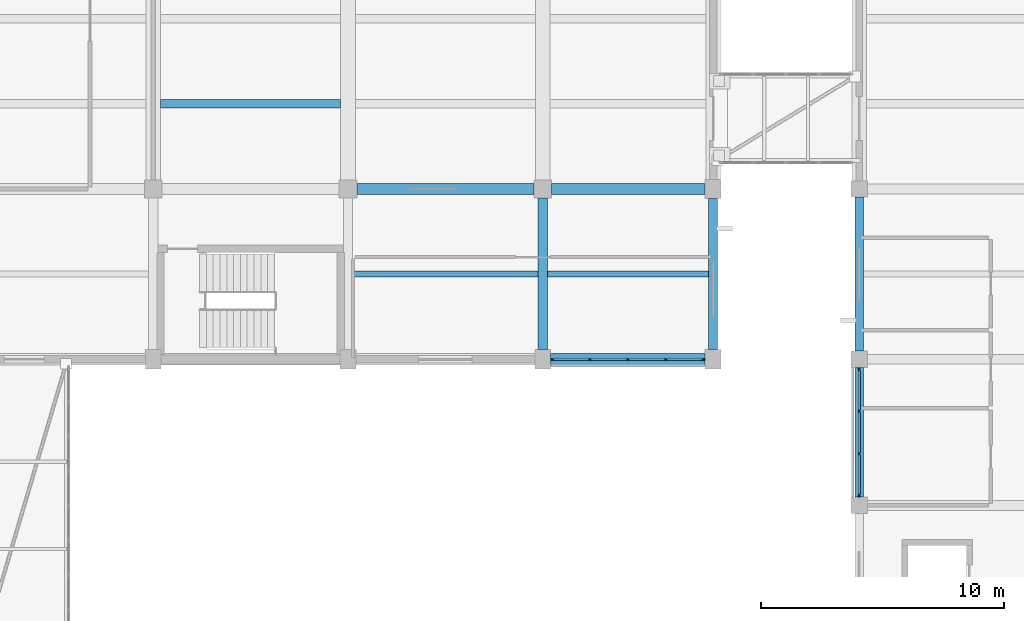
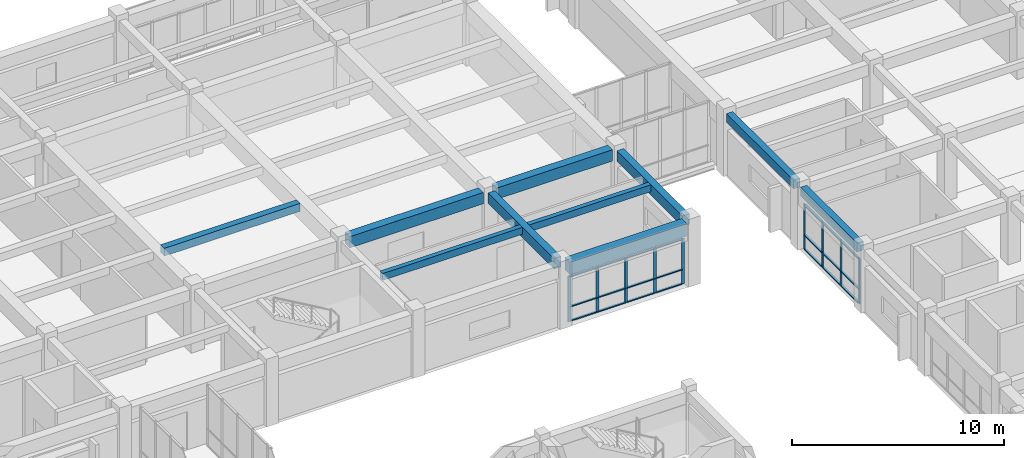
# One storey, part 26 of 66: 30 members, 10 beams, 2 elements without a shape of their own.
"""IFC4 building model written with IfcOpenShell, lengths in metres."""

from ifc_helpers import new_model, si_unit, direction, frame, origin, origin_2d, place, context, subcontext, project, spatial, rectangle, extrude, material, layer, layer_set, material_profile, profile_set, type_object, element, aggregate, save


model = new_model("IFC4")

# Units and contexts
model_context = context("Model", 3, precision=1e-05, world=origin(), true_north=direction((0.0, 1.0)))
body_context = subcontext(model_context, "Body", "Model", "MODEL_VIEW")
ifc_project = project(units=[si_unit("LENGTHUNIT", "METRE"), si_unit("AREAUNIT", "SQUARE_METRE"), si_unit("VOLUMEUNIT", "CUBIC_METRE"), si_unit("PLANEANGLEUNIT", "RADIAN"), si_unit("MASSUNIT", "GRAM", prefix="KILO")], contexts=[model_context])

# Site, building, storey
site_placement = place(None, origin())
site = spatial("IfcSite", under=ifc_project, at=site_placement, CompositionType="ELEMENT")
building_placement = place(site_placement, origin())
building = spatial("IfcBuilding", under=site, at=building_placement, Name="Naurynzar Civic Courthouse", CompositionType="ELEMENT")
storey_placement = place(building_placement, frame((0.0, 0.0, 14.39990234375)))
storey = spatial("IfcBuildingStorey", under=building, at=storey_placement, Name="L04", CompositionType="ELEMENT", Elevation=14.39990234375)

# Beams
ifc_material_1 = material(Name="Concrete C40/50", Category="concrete")
ifc_material_profile_1 = material_profile(ifc_material_1, rectangle(XDim=0.25, YDim=0.39990234375, at=origin_2d()), Name="RCB 250x400")
ifc_profile_set_1 = profile_set([ifc_material_profile_1], Name="Concrete C40/50")
beam_type_1 = type_object("IfcBeamType", Name="BM-JST-250x400", PredefinedType="JOIST", material=ifc_profile_set_1)
beam_1_placement = place(storey_placement, frame((109.1875, 47.5, 3.380126953125), z_axis=(1.0, 0.0, 0.0), x_axis=(0.0, 1.0, 0.0)))
element("IfcBeam", 1, at=beam_1_placement, inside=storey, type_object=beam_type_1, Name="V2 secondary rib 715 L04", PredefinedType="JOIST", context=body_context, shape_type="SweptSolid", body=[
    extrude(rectangle(XDim=0.25, YDim=0.39990234375, at=origin_2d()), origin(), (0.0, 0.0, 1.0), 7.625),
])
beam_2_placement = place(storey_placement, frame((117.1875, 47.5, 3.380126953125), z_axis=(1.0, 0.0, 0.0), x_axis=(0.0, 1.0, 0.0)))
element("IfcBeam", 2, at=beam_2_placement, inside=storey, type_object=beam_type_1, Name="V2 secondary rib 716 L04", PredefinedType="JOIST", context=body_context, shape_type="SweptSolid", body=[
    extrude(rectangle(XDim=0.25, YDim=0.39990234375, at=origin_2d()), origin(), (0.0, 0.0, 1.0), 6.625),
])
ifc_material_2 = material(Name="Concrete C40/50", Category="concrete")
ifc_material_profile_2 = material_profile(ifc_material_2, rectangle(XDim=0.35009765625, YDim=0.449951171875, at=origin_2d()), Name="RCB 350x450")
ifc_profile_set_2 = profile_set([ifc_material_profile_2], Name="Concrete C40/50")
beam_type_2 = type_object("IfcBeamType", Name="BM-RC-350x450", PredefinedType="BEAM", material=ifc_profile_set_2)
beam_3_placement = place(storey_placement, frame((101.300048828125, 54.5, 3.35498046875), z_axis=(1.0, 0.0, 0.0), x_axis=(0.0, 1.0, 0.0)))
element("IfcBeam", 3, at=beam_3_placement, inside=storey, type_object=beam_type_2, Name="V2 secondary rib 726 L04", PredefinedType="BEAM", context=body_context, shape_type="SweptSolid", body=[
    extrude(rectangle(XDim=0.35009765625, YDim=0.449951171875, at=origin_2d()), origin(), (0.0, 0.0, 1.0), 7.39990234375),
])
ifc_material_3 = material(Name="Concrete C40/50", Category="concrete")
ifc_material_profile_3 = material_profile(ifc_material_3, rectangle(XDim=0.35009765625, YDim=0.5, at=origin_2d()), Name="RCB 350x500")
ifc_profile_set_3 = profile_set([ifc_material_profile_3], Name="Concrete C40/50")
beam_type_3 = type_object("IfcBeamType", Name="BM-RC-350x500", PredefinedType="BEAM", material=ifc_profile_set_3)
beam_4_placement = place(storey_placement, frame((130.0, 38.33740234375, 3.330078125), z_axis=(0.0, 1.0, 0.0), x_axis=(-1.0, 0.0, 0.0)))
element("IfcBeam", 4, at=beam_4_placement, inside=storey, type_object=beam_type_3, Name="V5 girder Y-2554 L04", PredefinedType="BEAM", context=body_context, shape_type="SweptSolid", body=[
    extrude(rectangle(XDim=0.35009765625, YDim=0.5, at=origin_2d()), origin(), (0.0, 0.0, 1.0), 5.3251953125),
])
beam_5_placement = place(storey_placement, frame((130.0, 44.33740234375, 3.330078125), z_axis=(0.0, 1.0, 0.0), x_axis=(-1.0, 0.0, 0.0)))
element("IfcBeam", 5, at=beam_5_placement, inside=storey, type_object=beam_type_3, Name="V5 girder Y-2555 L04", PredefinedType="BEAM", context=body_context, shape_type="SweptSolid", body=[
    extrude(rectangle(XDim=0.35009765625, YDim=0.5, at=origin_2d()), origin(), (0.0, 0.0, 1.0), 6.3251953125),
])
ifc_material_4 = material(Name="Concrete C40/50", Category="concrete")
ifc_material_profile_4 = material_profile(ifc_material_4, rectangle(XDim=0.375, YDim=0.60009765625, at=origin_2d()), Name="RCB 375x600")
ifc_profile_set_4 = profile_set([ifc_material_profile_4], Name="Concrete C40/50")
beam_type_4 = type_object("IfcBeamType", Name="BM-RC-375x600", PredefinedType="BEAM", material=ifc_profile_set_4)
beam_6_placement = place(storey_placement, frame((117.0, 44.39990234375, 3.280029296875), z_axis=(0.0, 1.0, 0.0), x_axis=(-1.0, 0.0, 0.0)))
element("IfcBeam", 6, at=beam_6_placement, inside=storey, type_object=beam_type_4, Name="V2 girder Y-707 L04", PredefinedType="BEAM", context=body_context, shape_type="SweptSolid", body=[
    extrude(rectangle(XDim=0.375, YDim=0.60009765625, at=origin_2d()), origin(), (0.0, 0.0, 1.0), 6.237548828125),
])
beam_7_placement = place(storey_placement, frame((124.0, 44.39990234375, 3.280029296875), z_axis=(0.0, 1.0, 0.0), x_axis=(-1.0, 0.0, 0.0)))
element("IfcBeam", 7, at=beam_7_placement, inside=storey, type_object=beam_type_4, Name="V2 girder Y-710 L04", PredefinedType="BEAM", context=body_context, shape_type="SweptSolid", body=[
    extrude(rectangle(XDim=0.375, YDim=0.60009765625, at=origin_2d()), origin(), (0.0, 0.0, 1.0), 6.2001953125),
])
ifc_material_5 = material(Name="Concrete C40/50", Category="concrete")
ifc_material_profile_5 = material_profile(ifc_material_5, rectangle(XDim=0.449951171875, YDim=0.64990234375, at=origin_2d()), Name="RCB 450x650")
ifc_profile_set_5 = profile_set([ifc_material_profile_5], Name="Concrete C40/50")
beam_type_5 = type_object("IfcBeamType", Name="BM-RC-450x650", PredefinedType="BEAM", material=ifc_profile_set_5)
beam_8_placement = place(storey_placement, frame((109.362548828125, 51.0, 3.255126953125), z_axis=(1.0, 0.0, 0.0), x_axis=(0.0, 1.0, 0.0)))
element("IfcBeam", 8, at=beam_8_placement, inside=storey, type_object=beam_type_5, Name="V2 beam X-669 L04", PredefinedType="BEAM", context=body_context, shape_type="SweptSolid", body=[
    extrude(rectangle(XDim=0.449951171875, YDim=0.64990234375, at=origin_2d()), origin(), (0.0, 0.0, 1.0), 7.27490234375),
])
beam_9_placement = place(storey_placement, frame((117.362548828125, 51.0, 3.255126953125), z_axis=(1.0, 0.0, 0.0), x_axis=(0.0, 1.0, 0.0)))
element("IfcBeam", 9, at=beam_9_placement, inside=storey, type_object=beam_type_5, Name="V2 beam X-670 L04", PredefinedType="BEAM", context=body_context, shape_type="SweptSolid", body=[
    extrude(rectangle(XDim=0.449951171875, YDim=0.64990234375, at=origin_2d()), origin(), (0.0, 0.0, 1.0), 6.3125),
])
ifc_material_6 = material(Name="Concrete C40/50", Category="concrete")
ifc_material_profile_6 = material_profile(ifc_material_6, rectangle(XDim=0.47509765625, YDim=0.72509765625, at=origin_2d()), Name="RCB 475x725")
ifc_profile_set_6 = profile_set([ifc_material_profile_6], Name="Concrete C40/50")
beam_type_6 = type_object("IfcBeamType", Name="BM-RC-475x725", PredefinedType="SPANDREL", material=ifc_profile_set_6)
beam_10_placement = place(storey_placement, frame((117.324951171875, 44.0, 3.217529296875), z_axis=(1.0, 0.0, 0.0), x_axis=(0.0, 1.0, 0.0)))
element("IfcBeam", 10, at=beam_10_placement, inside=storey, type_object=beam_type_6, Name="V2 beam X-662 L04", PredefinedType="SPANDREL", context=body_context, shape_type="SweptSolid", body=[
    extrude(rectangle(XDim=0.47509765625, YDim=0.72509765625, at=origin_2d()), origin(), (0.0, 0.0, 1.0), 6.35009765625),
])

# Curtain wall, members
ifc_material_7 = material(Name="Aluminium 6063-T6", Category="aluminium")
ifc_layer = layer(ifc_material_7, 0.179931640625)
ifc_layer_set = layer_set([ifc_layer], Name="CW-UNIT-1500")
curtain_wall_type = type_object("IfcCurtainWallType", Name="CW-UNIT-1500", PredefinedType="NOTDEFINED", material=ifc_layer_set)
curtain_wall_1_placement = place(storey_placement, origin())
curtain_wall_1 = element("IfcCurtainWall", 11, at=curtain_wall_1_placement, inside=storey, type_object=curtain_wall_type, Name="V2 unitised curtain wall 35 L04", PredefinedType="NOTDEFINED")
ifc_material_8 = material(Name="Aluminium 6063-T6", Category="aluminium")
ifc_material_profile_7 = material_profile(ifc_material_8, rectangle(XDim=0.06005859375, YDim=0.14990234375, at=origin_2d()), Name="ALU MULLION 60x150")
ifc_profile_set_7 = profile_set([ifc_material_profile_7], Name="Aluminium 6063-T6")
member_type_1 = type_object("IfcMemberType", Name="CWM-60x150", PredefinedType="MULLION", material=ifc_profile_set_7)
member_1_placement = place(storey_placement, frame((123.594970703125, 44.0, 0.0), z_axis=(0.0, 0.0, 1.0), x_axis=(0.0, -1.0, 0.0)))
member_1 = element("IfcMember", 12, at=member_1_placement, type_object=member_type_1, Name="CW-01 mullion 1", PredefinedType="MULLION", context=body_context, shape_type="SweptSolid", body=[
    extrude(rectangle(XDim=0.06005859375, YDim=0.14990234375, at=origin_2d()), origin(), (0.0, 0.0, 1.0), 2.610107421875),
])
member_2_placement = place(storey_placement, frame((122.0625, 44.0, 0.0), z_axis=(0.0, 0.0, 1.0), x_axis=(0.0, -1.0, 0.0)))
member_2 = element("IfcMember", 13, at=member_2_placement, type_object=member_type_1, Name="CW-01 mullion 2", PredefinedType="MULLION", context=body_context, shape_type="SweptSolid", body=[
    extrude(rectangle(XDim=0.06005859375, YDim=0.14990234375, at=origin_2d()), origin(), (0.0, 0.0, 1.0), 2.610107421875),
])
member_3_placement = place(storey_placement, frame((120.5, 44.0, 0.0), z_axis=(0.0, 0.0, 1.0), x_axis=(0.0, -1.0, 0.0)))
member_3 = element("IfcMember", 14, at=member_3_placement, type_object=member_type_1, Name="CW-01 mullion 3", PredefinedType="MULLION", context=body_context, shape_type="SweptSolid", body=[
    extrude(rectangle(XDim=0.06005859375, YDim=0.14990234375, at=origin_2d()), origin(), (0.0, 0.0, 1.0), 2.610107421875),
])
member_4_placement = place(storey_placement, frame((118.9375, 44.0, 0.0), z_axis=(0.0, 0.0, 1.0), x_axis=(0.0, -1.0, 0.0)))
member_4 = element("IfcMember", 15, at=member_4_placement, type_object=member_type_1, Name="CW-01 mullion 4", PredefinedType="MULLION", context=body_context, shape_type="SweptSolid", body=[
    extrude(rectangle(XDim=0.06005859375, YDim=0.14990234375, at=origin_2d()), origin(), (0.0, 0.0, 1.0), 2.610107421875),
])
member_5_placement = place(storey_placement, frame((117.405029296875, 44.0, 0.0), z_axis=(0.0, 0.0, 1.0), x_axis=(0.0, -1.0, 0.0)))
member_5 = element("IfcMember", 16, at=member_5_placement, type_object=member_type_1, Name="CW-01 mullion 5", PredefinedType="MULLION", context=body_context, shape_type="SweptSolid", body=[
    extrude(rectangle(XDim=0.06005859375, YDim=0.14990234375, at=origin_2d()), origin(), (0.0, 0.0, 1.0), 2.610107421875),
])

curtain_wall_2_placement = place(storey_placement, origin())
curtain_wall_2 = element("IfcCurtainWall", 17, at=curtain_wall_2_placement, inside=storey, type_object=curtain_wall_type, Name="V5 unitised curtain wall 99 L04", PredefinedType="NOTDEFINED")
member_6_placement = place(storey_placement, frame((130.0, 38.41748046875, 0.0), z_axis=(0.0, 0.0, 1.0), x_axis=(-1.0, 0.0, 0.0)))
member_6 = element("IfcMember", 18, at=member_6_placement, type_object=member_type_1, Name="CW-01 mullion 1", PredefinedType="MULLION", context=body_context, shape_type="SweptSolid", body=[
    extrude(rectangle(XDim=0.06005859375, YDim=0.14990234375, at=origin_2d()), origin(), (0.0, 0.0, 1.0), 2.610107421875),
])
member_7_placement = place(storey_placement, frame((130.0, 40.129150390625, 0.0), z_axis=(0.0, 0.0, 1.0), x_axis=(-1.0, 0.0, 0.0)))
member_7 = element("IfcMember", 19, at=member_7_placement, type_object=member_type_1, Name="CW-01 mullion 2", PredefinedType="MULLION", context=body_context, shape_type="SweptSolid", body=[
    extrude(rectangle(XDim=0.06005859375, YDim=0.14990234375, at=origin_2d()), origin(), (0.0, 0.0, 1.0), 2.610107421875),
])
member_8_placement = place(storey_placement, frame((130.0, 41.870849609375, 0.0), z_axis=(0.0, 0.0, 1.0), x_axis=(-1.0, 0.0, 0.0)))
member_8 = element("IfcMember", 20, at=member_8_placement, type_object=member_type_1, Name="CW-01 mullion 3", PredefinedType="MULLION", context=body_context, shape_type="SweptSolid", body=[
    extrude(rectangle(XDim=0.06005859375, YDim=0.14990234375, at=origin_2d()), origin(), (0.0, 0.0, 1.0), 2.610107421875),
])
member_9_placement = place(storey_placement, frame((130.0, 43.58251953125, 0.0), z_axis=(0.0, 0.0, 1.0), x_axis=(-1.0, 0.0, 0.0)))
member_9 = element("IfcMember", 21, at=member_9_placement, type_object=member_type_1, Name="CW-01 mullion 4", PredefinedType="MULLION", context=body_context, shape_type="SweptSolid", body=[
    extrude(rectangle(XDim=0.06005859375, YDim=0.14990234375, at=origin_2d()), origin(), (0.0, 0.0, 1.0), 2.610107421875),
])

# Member
ifc_material_9 = material(Name="Aluminium 6063-T6", Category="aluminium")
ifc_material_profile_8 = material_profile(ifc_material_9, rectangle(XDim=0.110107421875, YDim=0.06005859375, at=origin_2d()), Name="ALU TRANSOM 60x110")
ifc_profile_set_8 = profile_set([ifc_material_profile_8], Name="Aluminium 6063-T6")
member_type_2 = type_object("IfcMemberType", Name="CWT-60x110", PredefinedType="USERDEFINED", material=ifc_profile_set_8)
member_10_placement = place(storey_placement, frame((123.56494140625, 44.0, 0.030029296875), z_axis=(-1.0, 0.0, 0.0), x_axis=(0.0, -1.0, 0.0)))
member_10 = element("IfcMember", 22, at=member_10_placement, type_object=member_type_2, Name="CW-01 transom 1.1", ObjectType="TRANSOM", PredefinedType="USERDEFINED", context=body_context, shape_type="SweptSolid", body=[
    extrude(rectangle(XDim=0.110107421875, YDim=0.06005859375, at=origin_2d()), origin(), (0.0, 0.0, 1.0), 1.472412109375),
])

member_11_placement = place(storey_placement, frame((123.56494140625, 44.0, 0.85009765625), z_axis=(-1.0, 0.0, 0.0), x_axis=(0.0, -1.0, 0.0)))
member_11 = element("IfcMember", 23, at=member_11_placement, type_object=member_type_2, Name="CW-01 transom 1.2", ObjectType="TRANSOM", PredefinedType="USERDEFINED", context=body_context, shape_type="SweptSolid", body=[
    extrude(rectangle(XDim=0.110107421875, YDim=0.06005859375, at=origin_2d()), origin(), (0.0, 0.0, 1.0), 1.472412109375),
])

member_12_placement = place(storey_placement, frame((123.56494140625, 44.0, 2.580078125), z_axis=(-1.0, 0.0, 0.0), x_axis=(0.0, -1.0, 0.0)))
member_12 = element("IfcMember", 24, at=member_12_placement, type_object=member_type_2, Name="CW-01 transom 1.3", ObjectType="TRANSOM", PredefinedType="USERDEFINED", context=body_context, shape_type="SweptSolid", body=[
    extrude(rectangle(XDim=0.110107421875, YDim=0.06005859375, at=origin_2d()), origin(), (0.0, 0.0, 1.0), 1.472412109375),
])

member_13_placement = place(storey_placement, frame((122.032470703125, 44.0, 0.030029296875), z_axis=(-1.0, 0.0, 0.0), x_axis=(0.0, -1.0, 0.0)))
member_13 = element("IfcMember", 25, at=member_13_placement, type_object=member_type_2, Name="CW-01 transom 2.1", ObjectType="TRANSOM", PredefinedType="USERDEFINED", context=body_context, shape_type="SweptSolid", body=[
    extrude(rectangle(XDim=0.110107421875, YDim=0.06005859375, at=origin_2d()), origin(), (0.0, 0.0, 1.0), 1.50244140625),
])

member_14_placement = place(storey_placement, frame((122.032470703125, 44.0, 0.85009765625), z_axis=(-1.0, 0.0, 0.0), x_axis=(0.0, -1.0, 0.0)))
member_14 = element("IfcMember", 26, at=member_14_placement, type_object=member_type_2, Name="CW-01 transom 2.2", ObjectType="TRANSOM", PredefinedType="USERDEFINED", context=body_context, shape_type="SweptSolid", body=[
    extrude(rectangle(XDim=0.110107421875, YDim=0.06005859375, at=origin_2d()), origin(), (0.0, 0.0, 1.0), 1.50244140625),
])

member_15_placement = place(storey_placement, frame((122.032470703125, 44.0, 2.580078125), z_axis=(-1.0, 0.0, 0.0), x_axis=(0.0, -1.0, 0.0)))
member_15 = element("IfcMember", 27, at=member_15_placement, type_object=member_type_2, Name="CW-01 transom 2.3", ObjectType="TRANSOM", PredefinedType="USERDEFINED", context=body_context, shape_type="SweptSolid", body=[
    extrude(rectangle(XDim=0.110107421875, YDim=0.06005859375, at=origin_2d()), origin(), (0.0, 0.0, 1.0), 1.50244140625),
])

member_16_placement = place(storey_placement, frame((120.469970703125, 44.0, 0.030029296875), z_axis=(-1.0, 0.0, 0.0), x_axis=(0.0, -1.0, 0.0)))
member_16 = element("IfcMember", 28, at=member_16_placement, type_object=member_type_2, Name="CW-01 transom 3.1", ObjectType="TRANSOM", PredefinedType="USERDEFINED", context=body_context, shape_type="SweptSolid", body=[
    extrude(rectangle(XDim=0.110107421875, YDim=0.06005859375, at=origin_2d()), origin(), (0.0, 0.0, 1.0), 1.50244140625),
])

member_17_placement = place(storey_placement, frame((120.469970703125, 44.0, 0.85009765625), z_axis=(-1.0, 0.0, 0.0), x_axis=(0.0, -1.0, 0.0)))
member_17 = element("IfcMember", 29, at=member_17_placement, type_object=member_type_2, Name="CW-01 transom 3.2", ObjectType="TRANSOM", PredefinedType="USERDEFINED", context=body_context, shape_type="SweptSolid", body=[
    extrude(rectangle(XDim=0.110107421875, YDim=0.06005859375, at=origin_2d()), origin(), (0.0, 0.0, 1.0), 1.50244140625),
])

member_18_placement = place(storey_placement, frame((120.469970703125, 44.0, 2.580078125), z_axis=(-1.0, 0.0, 0.0), x_axis=(0.0, -1.0, 0.0)))
member_18 = element("IfcMember", 30, at=member_18_placement, type_object=member_type_2, Name="CW-01 transom 3.3", ObjectType="TRANSOM", PredefinedType="USERDEFINED", context=body_context, shape_type="SweptSolid", body=[
    extrude(rectangle(XDim=0.110107421875, YDim=0.06005859375, at=origin_2d()), origin(), (0.0, 0.0, 1.0), 1.50244140625),
])

member_19_placement = place(storey_placement, frame((118.907470703125, 44.0, 0.030029296875), z_axis=(-1.0, 0.0, 0.0), x_axis=(0.0, -1.0, 0.0)))
member_19 = element("IfcMember", 31, at=member_19_placement, type_object=member_type_2, Name="CW-01 transom 4.1", ObjectType="TRANSOM", PredefinedType="USERDEFINED", context=body_context, shape_type="SweptSolid", body=[
    extrude(rectangle(XDim=0.110107421875, YDim=0.06005859375, at=origin_2d()), origin(), (0.0, 0.0, 1.0), 1.472412109375),
])

member_20_placement = place(storey_placement, frame((118.907470703125, 44.0, 0.85009765625), z_axis=(-1.0, 0.0, 0.0), x_axis=(0.0, -1.0, 0.0)))
member_20 = element("IfcMember", 32, at=member_20_placement, type_object=member_type_2, Name="CW-01 transom 4.2", ObjectType="TRANSOM", PredefinedType="USERDEFINED", context=body_context, shape_type="SweptSolid", body=[
    extrude(rectangle(XDim=0.110107421875, YDim=0.06005859375, at=origin_2d()), origin(), (0.0, 0.0, 1.0), 1.472412109375),
])

member_21_placement = place(storey_placement, frame((118.907470703125, 44.0, 2.580078125), z_axis=(-1.0, 0.0, 0.0), x_axis=(0.0, -1.0, 0.0)))
member_21 = element("IfcMember", 33, at=member_21_placement, type_object=member_type_2, Name="CW-01 transom 4.3", ObjectType="TRANSOM", PredefinedType="USERDEFINED", context=body_context, shape_type="SweptSolid", body=[
    extrude(rectangle(XDim=0.110107421875, YDim=0.06005859375, at=origin_2d()), origin(), (0.0, 0.0, 1.0), 1.472412109375),
])

aggregate(curtain_wall_1, [member_1, member_2, member_3, member_4, member_5, member_10, member_11, member_12, member_13, member_14, member_15, member_16, member_17, member_18, member_19, member_20, member_21])

member_22_placement = place(storey_placement, frame((130.0, 38.447509765625, 0.030029296875), z_axis=(0.0, 1.0, 0.0), x_axis=(-1.0, 0.0, 0.0)))
member_22 = element("IfcMember", 34, at=member_22_placement, type_object=member_type_2, Name="CW-01 transom 1.1", ObjectType="TRANSOM", PredefinedType="USERDEFINED", context=body_context, shape_type="SweptSolid", body=[
    extrude(rectangle(XDim=0.110107421875, YDim=0.06005859375, at=origin_2d()), origin(), (0.0, 0.0, 1.0), 1.651611328125),
])

member_23_placement = place(storey_placement, frame((130.0, 38.447509765625, 0.85009765625), z_axis=(0.0, 1.0, 0.0), x_axis=(-1.0, 0.0, 0.0)))
member_23 = element("IfcMember", 35, at=member_23_placement, type_object=member_type_2, Name="CW-01 transom 1.2", ObjectType="TRANSOM", PredefinedType="USERDEFINED", context=body_context, shape_type="SweptSolid", body=[
    extrude(rectangle(XDim=0.110107421875, YDim=0.06005859375, at=origin_2d()), origin(), (0.0, 0.0, 1.0), 1.651611328125),
])

member_24_placement = place(storey_placement, frame((130.0, 38.447509765625, 2.580078125), z_axis=(0.0, 1.0, 0.0), x_axis=(-1.0, 0.0, 0.0)))
member_24 = element("IfcMember", 36, at=member_24_placement, type_object=member_type_2, Name="CW-01 transom 1.3", ObjectType="TRANSOM", PredefinedType="USERDEFINED", context=body_context, shape_type="SweptSolid", body=[
    extrude(rectangle(XDim=0.110107421875, YDim=0.06005859375, at=origin_2d()), origin(), (0.0, 0.0, 1.0), 1.651611328125),
])

member_25_placement = place(storey_placement, frame((130.0, 40.1591796875, 0.030029296875), z_axis=(0.0, 1.0, 0.0), x_axis=(-1.0, 0.0, 0.0)))
member_25 = element("IfcMember", 37, at=member_25_placement, type_object=member_type_2, Name="CW-01 transom 2.1", ObjectType="TRANSOM", PredefinedType="USERDEFINED", context=body_context, shape_type="SweptSolid", body=[
    extrude(rectangle(XDim=0.110107421875, YDim=0.06005859375, at=origin_2d()), origin(), (0.0, 0.0, 1.0), 1.681640625),
])

member_26_placement = place(storey_placement, frame((130.0, 40.1591796875, 0.85009765625), z_axis=(0.0, 1.0, 0.0), x_axis=(-1.0, 0.0, 0.0)))
member_26 = element("IfcMember", 38, at=member_26_placement, type_object=member_type_2, Name="CW-01 transom 2.2", ObjectType="TRANSOM", PredefinedType="USERDEFINED", context=body_context, shape_type="SweptSolid", body=[
    extrude(rectangle(XDim=0.110107421875, YDim=0.06005859375, at=origin_2d()), origin(), (0.0, 0.0, 1.0), 1.681640625),
])

member_27_placement = place(storey_placement, frame((130.0, 40.1591796875, 2.580078125), z_axis=(0.0, 1.0, 0.0), x_axis=(-1.0, 0.0, 0.0)))
member_27 = element("IfcMember", 39, at=member_27_placement, type_object=member_type_2, Name="CW-01 transom 2.3", ObjectType="TRANSOM", PredefinedType="USERDEFINED", context=body_context, shape_type="SweptSolid", body=[
    extrude(rectangle(XDim=0.110107421875, YDim=0.06005859375, at=origin_2d()), origin(), (0.0, 0.0, 1.0), 1.681640625),
])

member_28_placement = place(storey_placement, frame((130.0, 41.90087890625, 0.030029296875), z_axis=(0.0, 1.0, 0.0), x_axis=(-1.0, 0.0, 0.0)))
member_28 = element("IfcMember", 40, at=member_28_placement, type_object=member_type_2, Name="CW-01 transom 3.1", ObjectType="TRANSOM", PredefinedType="USERDEFINED", context=body_context, shape_type="SweptSolid", body=[
    extrude(rectangle(XDim=0.110107421875, YDim=0.06005859375, at=origin_2d()), origin(), (0.0, 0.0, 1.0), 1.651611328125),
])

member_29_placement = place(storey_placement, frame((130.0, 41.90087890625, 0.85009765625), z_axis=(0.0, 1.0, 0.0), x_axis=(-1.0, 0.0, 0.0)))
member_29 = element("IfcMember", 41, at=member_29_placement, type_object=member_type_2, Name="CW-01 transom 3.2", ObjectType="TRANSOM", PredefinedType="USERDEFINED", context=body_context, shape_type="SweptSolid", body=[
    extrude(rectangle(XDim=0.110107421875, YDim=0.06005859375, at=origin_2d()), origin(), (0.0, 0.0, 1.0), 1.651611328125),
])

member_30_placement = place(storey_placement, frame((130.0, 41.90087890625, 2.580078125), z_axis=(0.0, 1.0, 0.0), x_axis=(-1.0, 0.0, 0.0)))
member_30 = element("IfcMember", 42, at=member_30_placement, type_object=member_type_2, Name="CW-01 transom 3.3", ObjectType="TRANSOM", PredefinedType="USERDEFINED", context=body_context, shape_type="SweptSolid", body=[
    extrude(rectangle(XDim=0.110107421875, YDim=0.06005859375, at=origin_2d()), origin(), (0.0, 0.0, 1.0), 1.651611328125),
])

aggregate(curtain_wall_2, [member_6, member_7, member_8, member_9, member_22, member_23, member_24, member_25, member_26, member_27, member_28, member_29, member_30])

save(model, "model.ifc")
